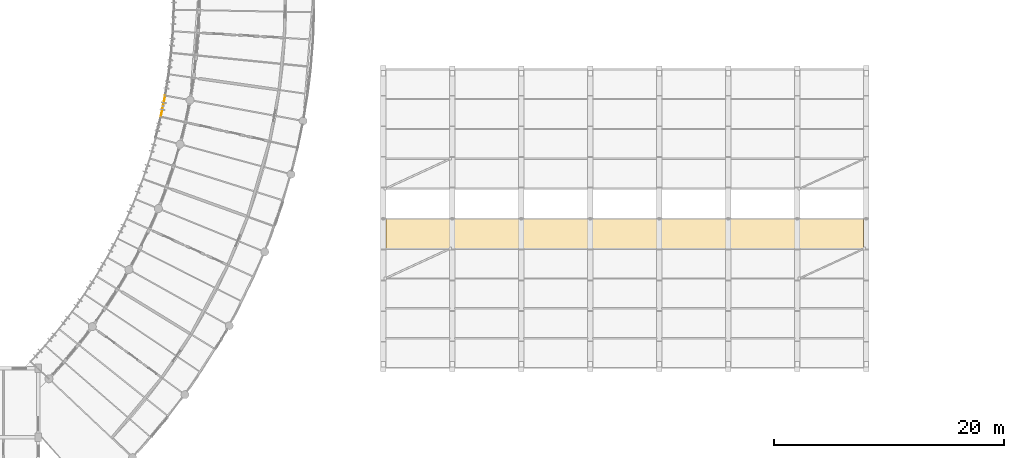
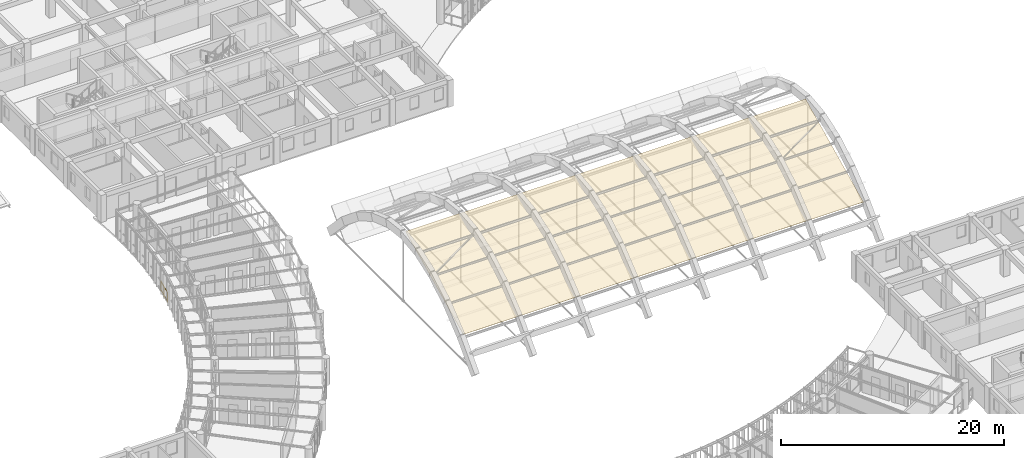
# One storey, part 115 of 123: 1 covering, 1 railing, 1 element without a shape of its own.
"""IFC4 building model written with IfcOpenShell, lengths in metres."""

from ifc_helpers import new_model, si_unit, direction, frame, origin, origin_2d, place, context, subcontext, project, spatial, polyline, circle, outline, extrude, material, layer, layer_set, type_object, element, aggregate, save


model = new_model("IFC4")

# Units and contexts
model_context = context("Model", 3, precision=1e-05, world=origin(), true_north=direction((0.0, 1.0)))
body_context = subcontext(model_context, "Body", "Model", "MODEL_VIEW")
ifc_project = project(units=[si_unit("LENGTHUNIT", "METRE"), si_unit("AREAUNIT", "SQUARE_METRE"), si_unit("VOLUMEUNIT", "CUBIC_METRE"), si_unit("PLANEANGLEUNIT", "RADIAN"), si_unit("MASSUNIT", "GRAM", prefix="KILO"), si_unit("POWERUNIT", "WATT"), si_unit("THERMODYNAMICTEMPERATUREUNIT", "KELVIN")], contexts=[model_context])

# Site, building, storey
site_placement = place(None, origin())
site = spatial("IfcSite", under=ifc_project, at=site_placement, CompositionType="ELEMENT")
building_placement = place(site_placement, origin())
building = spatial("IfcBuilding", under=site, at=building_placement, Name="Ruvembo Vaulted Housing Court", CompositionType="ELEMENT")
storey_placement = place(building_placement, frame((0.0, 0.0, 7.699951171875)))
storey = spatial("IfcBuildingStorey", under=building, at=storey_placement, Name="L02", CompositionType="ELEMENT", Elevation=7.699951171875)

# Roof, covering
ifc_material_1 = material(Name="Concrete C30/37", Category="concrete")
ifc_layer_1 = layer(ifc_material_1, 0.139892578125, Name="Concrete C30/37")
ifc_layer_set_1 = layer_set([ifc_layer_1], Name="Concrete C30/37")
roof_type = type_object("IfcRoofType", Name="ROOF-BARREL-HALL", PredefinedType="BARREL_ROOF", material=ifc_layer_set_1)
roof_placement = place(storey_placement, origin())
roof = element("IfcRoof", 1, at=roof_placement, inside=storey, type_object=roof_type, Name="Community Hall Barrel Vault Roof VR-1", PredefinedType="BARREL_ROOF")
ifc_material_2 = material(Name="TPO Waterproofing and Terracotta Tile", Category="masonry")
ifc_layer_2 = layer(ifc_material_2, 0.044921875, Name="TPO Waterproofing and Terracotta Tile")
ifc_layer_set_2 = layer_set([ifc_layer_2], Name="TPO Waterproofing and Terracotta Tile")
covering_type = type_object("IfcCoveringType", Name="COV-ROOF-MEMB", PredefinedType="ROOFING", material=ifc_layer_set_2)
covering_placement = place(storey_placement, frame((66.25, 44.60009765625, 1.280029296875), z_axis=(0.0, -0.433297739671, 0.90125083567), x_axis=(1.0, 0.0, 0.0)))
covering = element("IfcCovering", 2, at=covering_placement, type_object=covering_type, Name="Community Hall Vault Crown Waterproofing Membrane", PredefinedType="ROOFING", context=body_context, shape_type="SweptSolid", body=[
    extrude(outline(polyline([(0.0, 0.0), (41.5, 0.0), (41.5, 11.539409376546823), (0.0, 11.539409376546823), (0.0, 0.0)])), origin(), (0.0, 0.0, -1.0), 0.044921875),
])
aggregate(roof, [covering])

# Railing
ifc_material_3 = material(Name="Galvanised Painted Steel S275", Category="steel")
ifc_layer_3 = layer(ifc_material_3, 0.06005859375, Name="Galvanised Painted Steel S275")
ifc_layer_set_3 = layer_set([ifc_layer_3], Name="Galvanised Painted Steel S275")
railing_type = type_object("IfcRailingType", Name="RL-GUARD-1100", PredefinedType="GUARDRAIL", material=ifc_layer_set_3)
railing_placement = place(storey_placement, frame((46.664794921875, 63.86669921875, 0.0)))
element("IfcRailing", 3, at=railing_placement, inside=storey, type_object=railing_type, Name="L02 Perimeter Guard RL-EXT-L02-0066", PredefinedType="GUARDRAIL", context=body_context, shape_type="SweptSolid", body=[
    extrude(circle(Radius=0.02392578125, at=origin_2d()), frame((0.0, 0.0, 1.076171875), z_axis=(0.20126745828, 0.979536324103, 0.0), x_axis=(-0.979536324103, 0.20126745828, 0.0)), (0.0, 0.0, 1.0), 1.87646484375),
    extrude(circle(Radius=0.01806640625, at=origin_2d()), frame((0.0, 0.0, 0.1201171875), z_axis=(0.20126745828, 0.979536324103, 0.0), x_axis=(-0.979536324103, 0.20126745828, 0.0)), (0.0, 0.0, 1.0), 1.87646484375),
    extrude(circle(Radius=0.02099609375, at=origin_2d()), origin(), (0.0, 0.0, 1.0), 1.052001953125),
    extrude(circle(Radius=0.02099609375, at=origin_2d()), frame((0.18896484375, 0.9189453125, 0.0)), (0.0, 0.0, 1.0), 1.052001953125),
    extrude(circle(Radius=0.02099609375, at=origin_2d()), frame((0.377685546875, 1.838134765625, 0.0)), (0.0, 0.0, 1.0), 1.052001953125),
])

save(model, "model.ifc")
